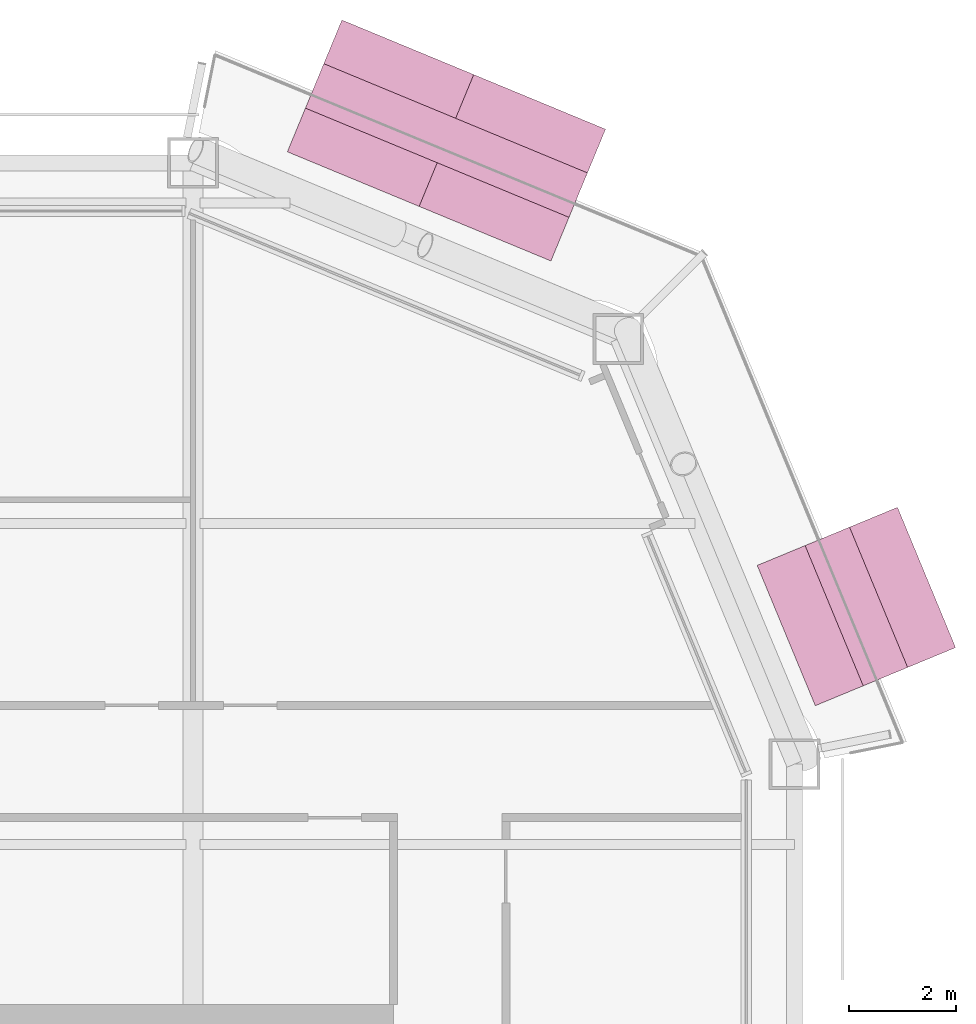
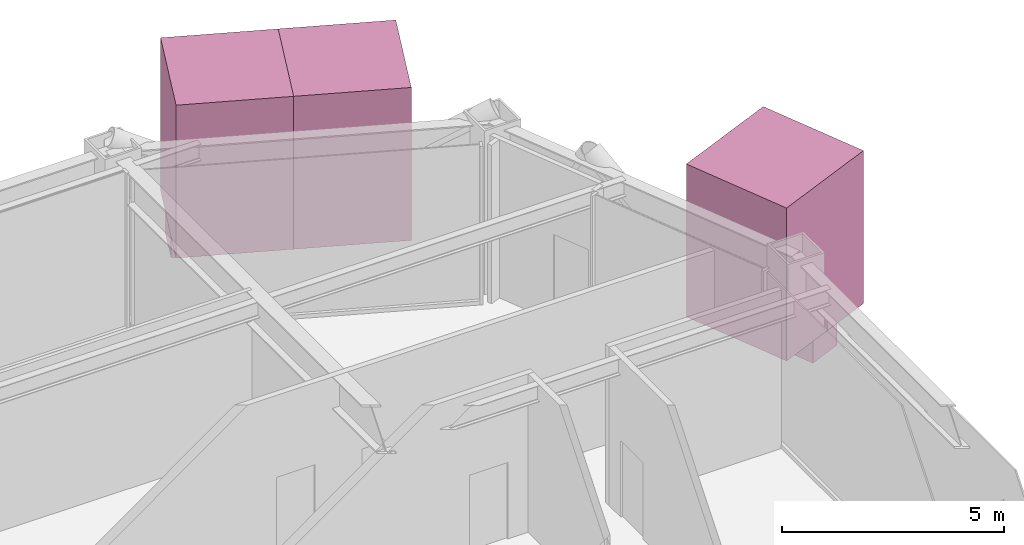
# One storey, part 24 of 24: 5 furnishings.
"""IFC4 building model written with IfcOpenShell, lengths in metres."""

from ifc_helpers import new_model, si_unit, direction, frame, origin, origin_2d, place, context, subcontext, project, spatial, rectangle, extrude, material, type_object, element, save


model = new_model("IFC4")

# Units and contexts
model_context = context("Model", 3, precision=1e-05, world=origin(), true_north=direction((0.0, 1.0)))
body_context = subcontext(model_context, "Body", "Model", "MODEL_VIEW")
ifc_project = project(units=[si_unit("LENGTHUNIT", "METRE"), si_unit("AREAUNIT", "SQUARE_METRE"), si_unit("VOLUMEUNIT", "CUBIC_METRE"), si_unit("PLANEANGLEUNIT", "RADIAN"), si_unit("MASSUNIT", "GRAM", prefix="KILO")], contexts=[model_context])

# Site, building, storey
site_placement = place(None, origin())
site = spatial("IfcSite", under=ifc_project, at=site_placement, CompositionType="ELEMENT")
building_placement = place(site_placement, origin())
building = spatial("IfcBuilding", under=site, at=building_placement, Name="Siwar Civic Tower", CompositionType="ELEMENT")
storey_placement = place(building_placement, frame((0.0, 0.0, 113.699951171875)))
storey = spatial("IfcBuildingStorey", under=building, at=storey_placement, Name="L24", CompositionType="ELEMENT", Elevation=113.699951171875)

# Furnishings
ifc_material_1 = material(Name="Planting soil and foliage")
furnishing_element_type_1 = type_object("IfcFurnishingElementType", Name="ENV-PLANTER", material=ifc_material_1)
furnishing_1_placement = place(storey_placement, frame((30.409423828125, 20.949951171875, 0.0), z_axis=(0.0, 0.0, 1.0), x_axis=(-0.382683432365, 0.923879532511, 0.0)))
element("IfcFurnishingElement", 1, at=furnishing_1_placement, inside=storey, type_object=furnishing_element_type_1, Name="PLANTER NE 1", context=body_context, shape_type="SweptSolid", body=[
    extrude(rectangle(XDim=2.84130859375, YDim=0.89990234375, at=origin_2d()), origin(), (0.0, 0.0, 1.0), 0.60009765625),
])
furnishing_2_placement = place(storey_placement, frame((22.73974609375, 29.66796875, 0.0), z_axis=(0.0, 0.0, 1.0), x_axis=(-0.923879532511, 0.382683432365, 0.0)))
element("IfcFurnishingElement", 2, at=furnishing_2_placement, inside=storey, type_object=furnishing_element_type_1, Name="PLANTER NE 2", context=body_context, shape_type="SweptSolid", body=[
    extrude(rectangle(XDim=5.33837890625, YDim=0.89990234375, at=origin_2d()), origin(), (0.0, 0.0, 1.0), 0.60009765625),
])
ifc_material_2 = material(Name="Planting soil and foliage")
furnishing_element_type_2 = type_object("IfcFurnishingElementType", Name="ENV-TREE", material=ifc_material_2)
furnishing_3_placement = place(storey_placement, frame((30.409423828125, 20.949951171875, 0.60009765625), z_axis=(0.0, 0.0, 1.0), x_axis=(-0.382683432365, 0.923879532511, 0.0)))
element("IfcFurnishingElement", 3, at=furnishing_3_placement, inside=storey, type_object=furnishing_element_type_2, Name="PLANTER (TREE) NE 1.1", context=body_context, shape_type="SweptSolid", body=[
    extrude(rectangle(XDim=2.84130859375, YDim=2.84130859375, at=origin_2d()), origin(), (0.0, 0.0, 1.0), 4.199951171875),
])
for number, where, z_axis, x_axis, name in (
    (4, (23.972900390625, 29.1572265625, 0.60009765625), (0.0, 0.0, 1.0), (-0.923879532511, 0.382683432365, 0.0), "PLANTER (TREE) NE 2.1"),
    (5, (21.5068359375, 30.1787109375, 0.60009765625), (0.0, 0.0, 1.0), (-0.923879532511, 0.382683432365, 0.0), "PLANTER (TREE) NE 2.2"),
):
    element("IfcFurnishingElement", number, at=place(storey_placement, frame(where, z_axis=z_axis, x_axis=x_axis)), inside=storey, type_object=furnishing_element_type_2, Name=name, context=body_context, shape_type="SweptSolid", body=[
        extrude(rectangle(XDim=2.669189453125, YDim=2.669189453125, at=origin_2d()), origin(), (0.0, 0.0, 1.0), 4.199951171875),
    ])

save(model, "model.ifc")
